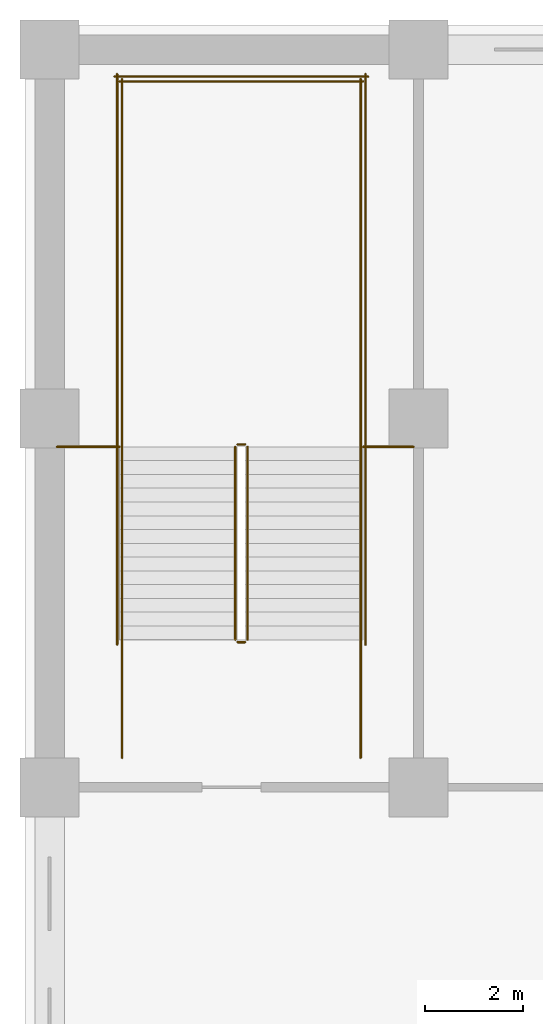
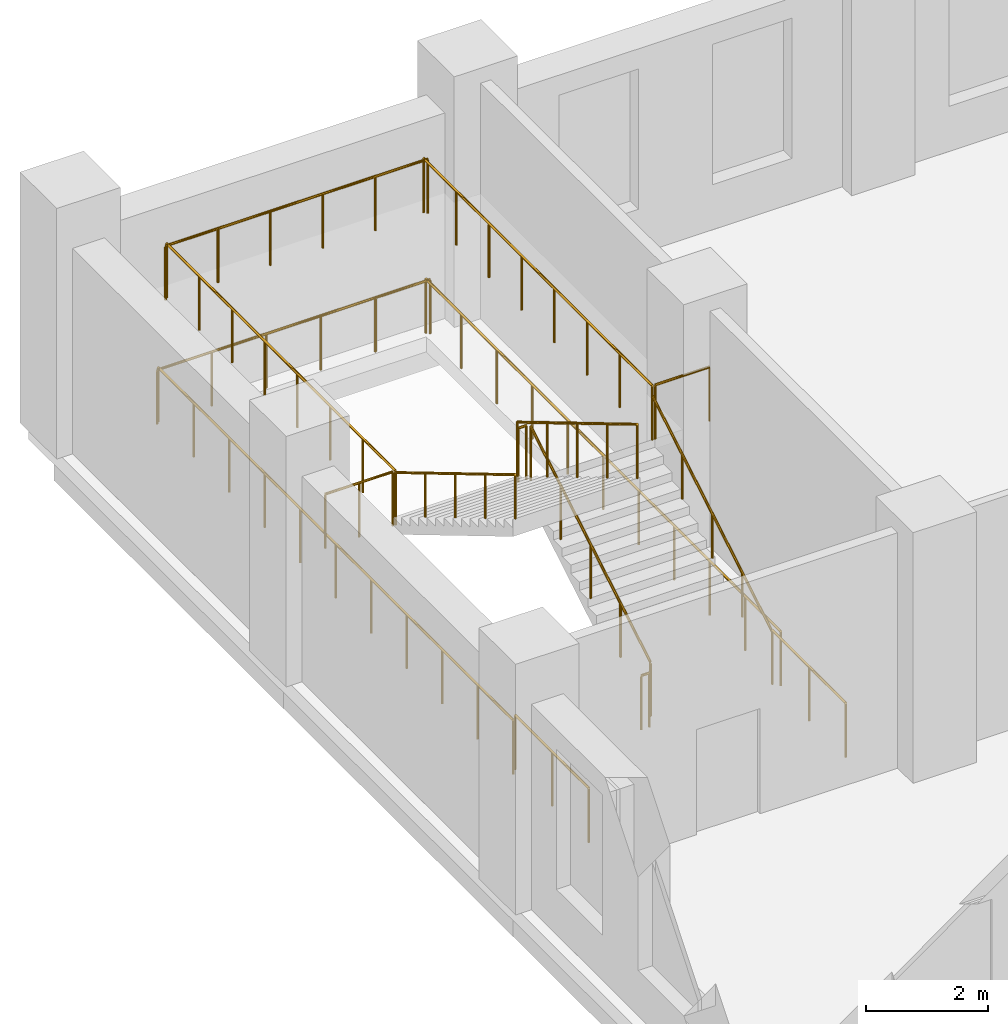
# One storey, part 25 of 32: 16 railings.
"""IFC4 building model written with IfcOpenShell, lengths in metres."""

from ifc_helpers import new_model, si_unit, direction, frame, origin, origin_2d, place, context, subcontext, project, spatial, circle, extrude, material, type_object, element, save


model = new_model("IFC4")

# Units and contexts
model_context = context("Model", 3, precision=1e-05, world=origin(), true_north=direction((0.0, 1.0)))
body_context = subcontext(model_context, "Body", "Model", "MODEL_VIEW")
ifc_project = project(units=[si_unit("LENGTHUNIT", "METRE"), si_unit("AREAUNIT", "SQUARE_METRE"), si_unit("VOLUMEUNIT", "CUBIC_METRE"), si_unit("PLANEANGLEUNIT", "RADIAN"), si_unit("MASSUNIT", "GRAM", prefix="KILO")], contexts=[model_context])

# Site, building, storey
site_placement = place(None, origin())
site = spatial("IfcSite", under=ifc_project, at=site_placement, CompositionType="ELEMENT")
building_placement = place(site_placement, origin())
building = spatial("IfcBuilding", under=site, at=building_placement, Name="Tamorin Gate", CompositionType="ELEMENT")
storey_placement = place(building_placement, frame((0.0, 0.0, 13.5)))
storey = spatial("IfcBuildingStorey", under=building, at=storey_placement, Name="L02", CompositionType="ELEMENT", Elevation=13.5)

# Railings
ifc_material = material(Name="Steel", Category="steel")
railing_type_1 = type_object("IfcRailingType", Name="Podium guard 1100", PredefinedType="GUARDRAIL", material=ifc_material)
railing_1_placement = place(storey_placement, frame((19.52490234375, 100.0, 0.166748046875)))
element("IfcRailing", 1, at=railing_1_placement, inside=storey, type_object=railing_type_1, Name="L02 PS2 stair guard 1", PredefinedType="GUARDRAIL", context=body_context, shape_type="SweptSolid", body=[
    extrude(circle(Radius=0.02392578125, at=origin_2d()), frame((0.0, 0.0, 1.076171875), z_axis=(0.0, 0.859296244711, 0.511478214419), x_axis=(-1.0, 0.0, 0.0)), (0.0, 0.0, 1.0), 4.561767578125),
    extrude(circle(Radius=0.02099609375, at=origin_2d()), origin(), (0.0, 0.0, 1.0), 1.052001953125),
    extrude(circle(Radius=0.02099609375, at=origin_2d()), frame((0.0, 0.97998046875, 0.583251953125)), (0.0, 0.0, 1.0), 1.052001953125),
    extrude(circle(Radius=0.02099609375, at=origin_2d()), frame((0.0, 1.9599609375, 1.16650390625)), (0.0, 0.0, 1.0), 1.052001953125),
    extrude(circle(Radius=0.02099609375, at=origin_2d()), frame((0.0, 2.93994140625, 1.75)), (0.0, 0.0, 1.0), 1.052001953125),
    extrude(circle(Radius=0.02099609375, at=origin_2d()), frame((0.0, 3.919921875, 2.333251953125)), (0.0, 0.0, 1.0), 1.052001953125),
])
railing_2_placement = place(storey_placement, frame((19.47509765625, 103.969970703125, 2.5)))
element("IfcRailing", 2, at=railing_2_placement, inside=storey, type_object=railing_type_1, Name="L02 PS2 stair guard 2", PredefinedType="GUARDRAIL", context=body_context, shape_type="SweptSolid", body=[
    extrude(circle(Radius=0.02392578125, at=origin_2d()), frame((0.0, 0.0, 1.076171875), z_axis=(-1.0, 0.0, 0.0), x_axis=(0.0, -1.0, 0.0)), (0.0, 0.0, 1.0), 0.150146484375),
    extrude(circle(Radius=0.02099609375, at=origin_2d()), origin(), (0.0, 0.0, 1.0), 1.052001953125),
    extrude(circle(Radius=0.02099609375, at=origin_2d()), frame((-0.150146484375, 0.0, 0.0)), (0.0, 0.0, 1.0), 1.052001953125),
])
for number, where, name in (
    (3, (21.824951171875, 103.919921875, 2.5), "L02 PS2 stair guard 3"),
    (4, (16.97509765625, 103.919921875, 2.5), "L02 PS2 stair guard 4"),
):
    element("IfcRailing", number, at=place(storey_placement, frame(where)), inside=storey, type_object=railing_type_1, Name=name, PredefinedType="GUARDRAIL", context=body_context, shape_type="SweptSolid", body=[
        extrude(circle(Radius=0.02392578125, at=origin_2d()), frame((0.0, 0.0, 1.076171875), z_axis=(0.0, 1.0, 0.0), x_axis=(-1.0, 0.0, 0.0)), (0.0, 0.0, 1.0), 7.47998046875),
        extrude(circle(Radius=0.02099609375, at=origin_2d()), origin(), (0.0, 0.0, 1.0), 1.052001953125),
        extrude(circle(Radius=0.02099609375, at=origin_2d()), frame((0.0, 1.068603515625, 0.0)), (0.0, 0.0, 1.0), 1.052001953125),
        extrude(circle(Radius=0.02099609375, at=origin_2d()), frame((0.0, 2.13720703125, 0.0)), (0.0, 0.0, 1.0), 1.052001953125),
        extrude(circle(Radius=0.02099609375, at=origin_2d()), frame((0.0, 3.205810546875, 0.0)), (0.0, 0.0, 1.0), 1.052001953125),
        extrude(circle(Radius=0.02099609375, at=origin_2d()), frame((0.0, 4.274169921875, 0.0)), (0.0, 0.0, 1.0), 1.052001953125),
        extrude(circle(Radius=0.02099609375, at=origin_2d()), frame((0.0, 5.3427734375, 0.0)), (0.0, 0.0, 1.0), 1.052001953125),
        extrude(circle(Radius=0.02099609375, at=origin_2d()), frame((0.0, 6.411376953125, 0.0)), (0.0, 0.0, 1.0), 1.052001953125),
        extrude(circle(Radius=0.02099609375, at=origin_2d()), frame((0.0, 7.47998046875, 0.0)), (0.0, 0.0, 1.0), 1.052001953125),
    ])
railing_3_placement = place(storey_placement, frame((21.875, 111.35009765625, 2.5)))
element("IfcRailing", 5, at=railing_3_placement, inside=storey, type_object=railing_type_1, Name="L02 PS2 stair guard 5", PredefinedType="GUARDRAIL", context=body_context, shape_type="SweptSolid", body=[
    extrude(circle(Radius=0.02392578125, at=origin_2d()), frame((0.0, 0.0, 1.076171875), z_axis=(-1.0, 0.0, 0.0), x_axis=(0.0, -1.0, 0.0)), (0.0, 0.0, 1.0), 4.949951171875),
    extrude(circle(Radius=0.02099609375, at=origin_2d()), origin(), (0.0, 0.0, 1.0), 1.052001953125),
    extrude(circle(Radius=0.02099609375, at=origin_2d()), frame((-0.989990234375, 0.0, 0.0)), (0.0, 0.0, 1.0), 1.052001953125),
    extrude(circle(Radius=0.02099609375, at=origin_2d()), frame((-1.97998046875, 0.0, 0.0)), (0.0, 0.0, 1.0), 1.052001953125),
    extrude(circle(Radius=0.02099609375, at=origin_2d()), frame((-2.969970703125, 0.0, 0.0)), (0.0, 0.0, 1.0), 1.052001953125),
    extrude(circle(Radius=0.02099609375, at=origin_2d()), frame((-3.9599609375, 0.0, 0.0)), (0.0, 0.0, 1.0), 1.052001953125),
    extrude(circle(Radius=0.02099609375, at=origin_2d()), frame((-4.949951171875, 0.0, 0.0)), (0.0, 0.0, 1.0), 1.052001953125),
])
railing_4_placement = place(storey_placement, frame((19.27490234375, 103.919921875, 2.666748046875)))
element("IfcRailing", 6, at=railing_4_placement, inside=storey, type_object=railing_type_1, Name="L02 PS2 stair guard 6", PredefinedType="GUARDRAIL", context=body_context, shape_type="SweptSolid", body=[
    extrude(circle(Radius=0.02392578125, at=origin_2d()), frame((0.0, 0.0, 1.076171875), z_axis=(0.0, -0.859296244711, 0.511478214419), x_axis=(1.0, 0.0, 0.0)), (0.0, 0.0, 1.0), 4.561767578125),
    extrude(circle(Radius=0.02099609375, at=origin_2d()), origin(), (0.0, 0.0, 1.0), 1.052001953125),
    extrude(circle(Radius=0.02099609375, at=origin_2d()), frame((0.0, -0.97998046875, 0.583251953125)), (0.0, 0.0, 1.0), 1.052001953125),
    extrude(circle(Radius=0.02099609375, at=origin_2d()), frame((0.0, -1.9599609375, 1.16650390625)), (0.0, 0.0, 1.0), 1.052001953125),
    extrude(circle(Radius=0.02099609375, at=origin_2d()), frame((0.0, -2.93994140625, 1.75)), (0.0, 0.0, 1.0), 1.052001953125),
    extrude(circle(Radius=0.02099609375, at=origin_2d()), frame((0.0, -3.919921875, 2.333251953125)), (0.0, 0.0, 1.0), 1.052001953125),
])
railing_5_placement = place(storey_placement, frame((19.47509765625, 99.949951171875, 0.0)))
element("IfcRailing", 7, at=railing_5_placement, inside=storey, type_object=railing_type_1, Name="L02 PS2 stair guard 7", PredefinedType="GUARDRAIL", context=body_context, shape_type="SweptSolid", body=[
    extrude(circle(Radius=0.02392578125, at=origin_2d()), frame((0.0, 0.0, 1.076171875), z_axis=(-1.0, 0.0, 0.0), x_axis=(0.0, -1.0, 0.0)), (0.0, 0.0, 1.0), 0.150146484375),
    extrude(circle(Radius=0.02099609375, at=origin_2d()), origin(), (0.0, 0.0, 1.0), 1.052001953125),
    extrude(circle(Radius=0.02099609375, at=origin_2d()), frame((-0.150146484375, 0.0, 0.0)), (0.0, 0.0, 1.0), 1.052001953125),
])
for number, where, name in (
    (8, (21.824951171875, 97.60009765625, 0.0), "L02 PS2 stair guard 8"),
    (9, (16.97509765625, 97.60009765625, 0.0), "L02 PS2 stair guard 9"),
):
    element("IfcRailing", number, at=place(storey_placement, frame(where)), inside=storey, type_object=railing_type_1, Name=name, PredefinedType="GUARDRAIL", context=body_context, shape_type="SweptSolid", body=[
        extrude(circle(Radius=0.02392578125, at=origin_2d()), frame((0.0, 0.0, 1.076171875), z_axis=(0.0, 1.0, 0.0), x_axis=(-1.0, 0.0, 0.0)), (0.0, 0.0, 1.0), 2.39990234375),
        extrude(circle(Radius=0.02099609375, at=origin_2d()), origin(), (0.0, 0.0, 1.0), 1.052001953125),
        extrude(circle(Radius=0.02099609375, at=origin_2d()), frame((0.0, 1.199951171875, 0.0)), (0.0, 0.0, 1.0), 1.052001953125),
        extrude(circle(Radius=0.02099609375, at=origin_2d()), frame((0.0, 2.39990234375, 0.0)), (0.0, 0.0, 1.0), 1.052001953125),
    ])
for number, where, name in (
    (10, (21.925048828125, 99.89990234375, 0.0), "L02 PS2 stair guard 10"),
    (11, (16.875, 99.89990234375, 0.0), "L02 PS2 stair guard 11"),
):
    element("IfcRailing", number, at=place(storey_placement, frame(where)), inside=storey, type_object=railing_type_1, Name=name, PredefinedType="GUARDRAIL", context=body_context, shape_type="SweptSolid", body=[
        extrude(circle(Radius=0.02392578125, at=origin_2d()), frame((0.0, 0.0, 1.076171875), z_axis=(0.0, 1.0, 0.0), x_axis=(-1.0, 0.0, 0.0)), (0.0, 0.0, 1.0), 11.60009765625),
        extrude(circle(Radius=0.02099609375, at=origin_2d()), origin(), (0.0, 0.0, 1.0), 1.052001953125),
        extrude(circle(Radius=0.02099609375, at=origin_2d()), frame((0.0, 1.159912109375, 0.0)), (0.0, 0.0, 1.0), 1.052001953125),
        extrude(circle(Radius=0.02099609375, at=origin_2d()), frame((0.0, 2.320068359375, 0.0)), (0.0, 0.0, 1.0), 1.052001953125),
        extrude(circle(Radius=0.02099609375, at=origin_2d()), frame((0.0, 3.47998046875, 0.0)), (0.0, 0.0, 1.0), 1.052001953125),
        extrude(circle(Radius=0.02099609375, at=origin_2d()), frame((0.0, 4.64013671875, 0.0)), (0.0, 0.0, 1.0), 1.052001953125),
        extrude(circle(Radius=0.02099609375, at=origin_2d()), frame((0.0, 5.800048828125, 0.0)), (0.0, 0.0, 1.0), 1.052001953125),
        extrude(circle(Radius=0.02099609375, at=origin_2d()), frame((0.0, 6.9599609375, 0.0)), (0.0, 0.0, 1.0), 1.052001953125),
        extrude(circle(Radius=0.02099609375, at=origin_2d()), frame((0.0, 8.1201171875, 0.0)), (0.0, 0.0, 1.0), 1.052001953125),
        extrude(circle(Radius=0.02099609375, at=origin_2d()), frame((0.0, 9.280029296875, 0.0)), (0.0, 0.0, 1.0), 1.052001953125),
        extrude(circle(Radius=0.02099609375, at=origin_2d()), frame((0.0, 10.440185546875, 0.0)), (0.0, 0.0, 1.0), 1.052001953125),
        extrude(circle(Radius=0.02099609375, at=origin_2d()), frame((0.0, 11.60009765625, 0.0)), (0.0, 0.0, 1.0), 1.052001953125),
    ])
railing_6_placement = place(storey_placement, frame((21.97509765625, 111.449951171875, 0.0)))
element("IfcRailing", 12, at=railing_6_placement, inside=storey, type_object=railing_type_1, Name="L02 PS2 stair guard 12", PredefinedType="GUARDRAIL", context=body_context, shape_type="SweptSolid", body=[
    extrude(circle(Radius=0.02392578125, at=origin_2d()), frame((0.0, 0.0, 1.076171875), z_axis=(-1.0, 0.0, 0.0), x_axis=(0.0, -1.0, 0.0)), (0.0, 0.0, 1.0), 5.150146484375),
    extrude(circle(Radius=0.02099609375, at=origin_2d()), origin(), (0.0, 0.0, 1.0), 1.052001953125),
    extrude(circle(Radius=0.02099609375, at=origin_2d()), frame((-1.030029296875, 0.0, 0.0)), (0.0, 0.0, 1.0), 1.052001953125),
    extrude(circle(Radius=0.02099609375, at=origin_2d()), frame((-2.06005859375, 0.0, 0.0)), (0.0, 0.0, 1.0), 1.052001953125),
    extrude(circle(Radius=0.02099609375, at=origin_2d()), frame((-3.090087890625, 0.0, 0.0)), (0.0, 0.0, 1.0), 1.052001953125),
    extrude(circle(Radius=0.02099609375, at=origin_2d()), frame((-4.1201171875, 0.0, 0.0)), (0.0, 0.0, 1.0), 1.052001953125),
    extrude(circle(Radius=0.02099609375, at=origin_2d()), frame((-5.150146484375, 0.0, 0.0)), (0.0, 0.0, 1.0), 1.052001953125),
])
railing_7_placement = place(storey_placement, frame((15.64990234375, 103.919921875, 2.5)))
element("IfcRailing", 13, at=railing_7_placement, inside=storey, type_object=railing_type_1, Name="Landing edge guard", PredefinedType="GUARDRAIL", context=body_context, shape_type="SweptSolid", body=[
    extrude(circle(Radius=0.02392578125, at=origin_2d()), frame((0.0, 0.0, 1.076171875), z_axis=(1.0, 0.0, 0.0), x_axis=(0.0, 1.0, 0.0)), (0.0, 0.0, 1.0), 1.275146484375),
    extrude(circle(Radius=0.02099609375, at=origin_2d()), origin(), (0.0, 0.0, 1.0), 1.052001953125),
    extrude(circle(Radius=0.02099609375, at=origin_2d()), frame((0.6376953125, 0.0, 0.0)), (0.0, 0.0, 1.0), 1.052001953125),
    extrude(circle(Radius=0.02099609375, at=origin_2d()), frame((1.275146484375, 0.0, 0.0)), (0.0, 0.0, 1.0), 1.052001953125),
])
railing_8_placement = place(storey_placement, frame((21.875, 103.919921875, 2.5)))
element("IfcRailing", 14, at=railing_8_placement, inside=storey, type_object=railing_type_1, Name="Landing edge guard", PredefinedType="GUARDRAIL", context=body_context, shape_type="SweptSolid", body=[
    extrude(circle(Radius=0.02392578125, at=origin_2d()), frame((0.0, 0.0, 1.076171875), z_axis=(1.0, 0.0, 0.0), x_axis=(0.0, 1.0, 0.0)), (0.0, 0.0, 1.0), 1.02490234375),
    extrude(circle(Radius=0.02099609375, at=origin_2d()), origin(), (0.0, 0.0, 1.0), 1.052001953125),
    extrude(circle(Radius=0.02099609375, at=origin_2d()), frame((1.02490234375, 0.0, 0.0)), (0.0, 0.0, 1.0), 1.052001953125),
])
railing_type_2 = type_object("IfcRailingType", Name="Podium stair handrail 900", PredefinedType="HANDRAIL", material=ifc_material)
railing_9_placement = place(storey_placement, frame((21.824951171875, 100.0, 0.166748046875)))
element("IfcRailing", 15, at=railing_9_placement, inside=storey, type_object=railing_type_2, Name="L02 PS2 stair handrail 1", PredefinedType="HANDRAIL", context=body_context, shape_type="SweptSolid", body=[
    extrude(circle(Radius=0.02392578125, at=origin_2d()), frame((0.0, 0.0, 0.8759765625), z_axis=(0.0, 0.859296244711, 0.511478214419), x_axis=(-1.0, 0.0, 0.0)), (0.0, 0.0, 1.0), 4.561767578125),
    extrude(circle(Radius=0.02099609375, at=origin_2d()), origin(), (0.0, 0.0, 1.0), 0.851806640625),
    extrude(circle(Radius=0.02099609375, at=origin_2d()), frame((0.0, 0.97998046875, 0.583251953125)), (0.0, 0.0, 1.0), 0.851806640625),
    extrude(circle(Radius=0.02099609375, at=origin_2d()), frame((0.0, 1.9599609375, 1.16650390625)), (0.0, 0.0, 1.0), 0.851806640625),
    extrude(circle(Radius=0.02099609375, at=origin_2d()), frame((0.0, 2.93994140625, 1.75)), (0.0, 0.0, 1.0), 0.851806640625),
    extrude(circle(Radius=0.02099609375, at=origin_2d()), frame((0.0, 3.919921875, 2.333251953125)), (0.0, 0.0, 1.0), 0.851806640625),
])
railing_10_placement = place(storey_placement, frame((16.97509765625, 103.919921875, 2.666748046875)))
element("IfcRailing", 16, at=railing_10_placement, inside=storey, type_object=railing_type_2, Name="L02 PS2 stair handrail 2", PredefinedType="HANDRAIL", context=body_context, shape_type="SweptSolid", body=[
    extrude(circle(Radius=0.02392578125, at=origin_2d()), frame((0.0, 0.0, 0.8759765625), z_axis=(0.0, -0.859296244711, 0.511478214419), x_axis=(1.0, 0.0, 0.0)), (0.0, 0.0, 1.0), 4.561767578125),
    extrude(circle(Radius=0.02099609375, at=origin_2d()), origin(), (0.0, 0.0, 1.0), 0.851806640625),
    extrude(circle(Radius=0.02099609375, at=origin_2d()), frame((0.0, -0.97998046875, 0.583251953125)), (0.0, 0.0, 1.0), 0.851806640625),
    extrude(circle(Radius=0.02099609375, at=origin_2d()), frame((0.0, -1.9599609375, 1.16650390625)), (0.0, 0.0, 1.0), 0.851806640625),
    extrude(circle(Radius=0.02099609375, at=origin_2d()), frame((0.0, -2.93994140625, 1.75)), (0.0, 0.0, 1.0), 0.851806640625),
    extrude(circle(Radius=0.02099609375, at=origin_2d()), frame((0.0, -3.919921875, 2.333251953125)), (0.0, 0.0, 1.0), 0.851806640625),
])

save(model, "model.ifc")
